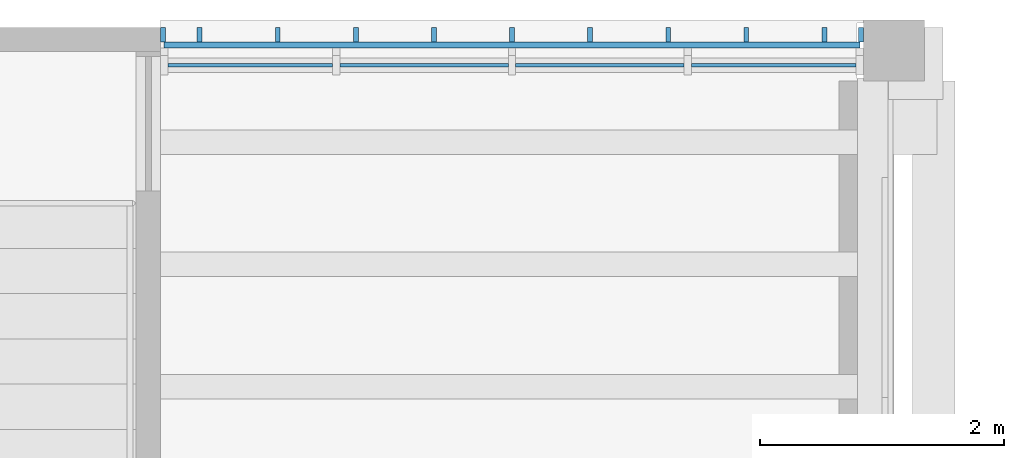
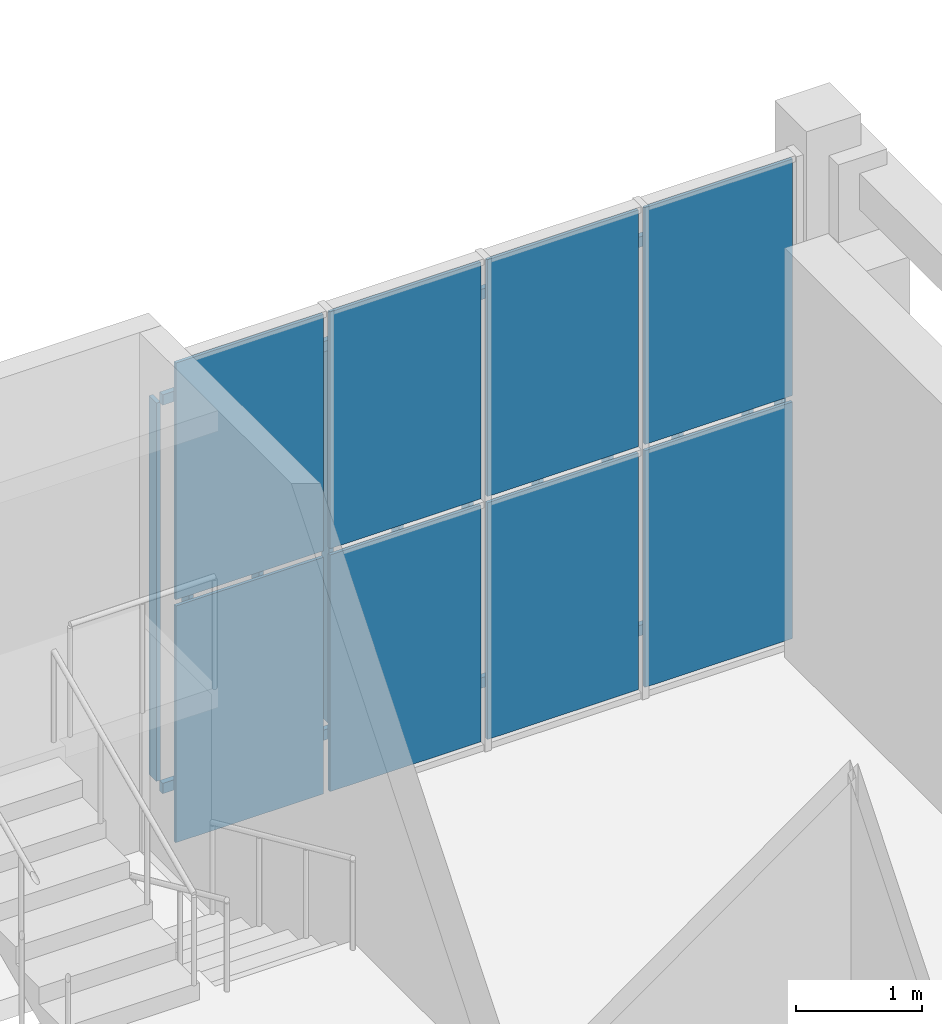
# One storey, part 34 of 80: 21 plates, 1 element without a shape of its own.
"""IFC4 building model written with IfcOpenShell, lengths in metres."""

from ifc_helpers import new_model, si_unit, direction, frame, origin, origin_2d, place, context, subcontext, project, spatial, rectangle, extrude, material, layer, layer_set, type_object, element, aggregate, save


model = new_model("IFC4")

# Units and contexts
model_context = context("Model", 3, precision=1e-05, world=origin(), true_north=direction((0.0, 1.0)))
body_context = subcontext(model_context, "Body", "Model", "MODEL_VIEW")
ifc_project = project(units=[si_unit("LENGTHUNIT", "METRE"), si_unit("AREAUNIT", "SQUARE_METRE"), si_unit("VOLUMEUNIT", "CUBIC_METRE"), si_unit("PLANEANGLEUNIT", "RADIAN"), si_unit("MASSUNIT", "GRAM", prefix="KILO")], contexts=[model_context])

# Site, building, storey
site_placement = place(None, origin())
site = spatial("IfcSite", under=ifc_project, at=site_placement, CompositionType="ELEMENT")
building_placement = place(site_placement, origin())
building = spatial("IfcBuilding", under=site, at=building_placement, Name="Saffron Lane Theatres", CompositionType="ELEMENT")
storey_placement = place(building_placement, frame((0.0, 0.0, 7.0)))
storey = spatial("IfcBuildingStorey", under=building, at=storey_placement, Name="L01", CompositionType="ELEMENT", Elevation=7.0)

# Curtain wall, plates
ifc_material_1 = material(Name="Aluminium", Category="aluminium")
curtain_wall_type = type_object("IfcCurtainWallType", Name="EX-CURTAIN WALL 5750x4750x160", PredefinedType="NOTDEFINED", material=ifc_material_1)
curtain_wall_placement = place(storey_placement, origin())
curtain_wall = element("IfcCurtainWall", 1, at=curtain_wall_placement, inside=storey, type_object=curtain_wall_type, Name="Curtain wall L01 08", PredefinedType="NOTDEFINED")
ifc_material_2 = material(Name="Glass", Category="glass")
ifc_layer_1 = layer(ifc_material_2, 0.028076171875)
ifc_layer_set_1 = layer_set([ifc_layer_1], Name="Glass")
plate_type_1 = type_object("IfcPlateType", Name="EX-CW PANEL GLAZING 28", PredefinedType="CURTAIN_PANEL", material=ifc_layer_set_1)
plate_1_placement = place(storey_placement, frame((6.733642578125, 125.6298828125, 0.06005859375), z_axis=(0.0, 0.0, 1.0), x_axis=(1.0, 0.0, 0.0)))
plate_1 = element("IfcPlate", 2, at=plate_1_placement, type_object=plate_type_1, Name="CW-01-08 panel 1.1", PredefinedType="CURTAIN_PANEL", context=body_context, shape_type="SweptSolid", body=[
    extrude(rectangle(XDim=1.347412109375, YDim=0.028076171875, at=origin_2d()), origin(), (0.0, 0.0, 1.0), 2.284912109375),
])
plate_2_placement = place(storey_placement, frame((6.733642578125, 125.6298828125, 2.4052734375), z_axis=(0.0, 0.0, 1.0), x_axis=(1.0, 0.0, 0.0)))
plate_2 = element("IfcPlate", 3, at=plate_2_placement, type_object=plate_type_1, Name="CW-01-08 panel 1.2", PredefinedType="CURTAIN_PANEL", context=body_context, shape_type="SweptSolid", body=[
    extrude(rectangle(XDim=1.347412109375, YDim=0.028076171875, at=origin_2d()), origin(), (0.0, 0.0, 1.0), 2.284912109375),
])
plate_3_placement = place(storey_placement, frame((8.15625, 125.6298828125, 0.06005859375), z_axis=(0.0, 0.0, 1.0), x_axis=(1.0, 0.0, 0.0)))
plate_3 = element("IfcPlate", 4, at=plate_3_placement, type_object=plate_type_1, Name="CW-01-08 panel 2.1", PredefinedType="CURTAIN_PANEL", context=body_context, shape_type="SweptSolid", body=[
    extrude(rectangle(XDim=1.37744140625, YDim=0.028076171875, at=origin_2d()), origin(), (0.0, 0.0, 1.0), 2.284912109375),
])
plate_4_placement = place(storey_placement, frame((8.15625, 125.6298828125, 2.4052734375), z_axis=(0.0, 0.0, 1.0), x_axis=(1.0, 0.0, 0.0)))
plate_4 = element("IfcPlate", 5, at=plate_4_placement, type_object=plate_type_1, Name="CW-01-08 panel 2.2", PredefinedType="CURTAIN_PANEL", context=body_context, shape_type="SweptSolid", body=[
    extrude(rectangle(XDim=1.37744140625, YDim=0.028076171875, at=origin_2d()), origin(), (0.0, 0.0, 1.0), 2.284912109375),
])
plate_5_placement = place(storey_placement, frame((9.59375, 125.6298828125, 0.06005859375), z_axis=(0.0, 0.0, 1.0), x_axis=(1.0, 0.0, 0.0)))
plate_5 = element("IfcPlate", 6, at=plate_5_placement, type_object=plate_type_1, Name="CW-01-08 panel 3.1", PredefinedType="CURTAIN_PANEL", context=body_context, shape_type="SweptSolid", body=[
    extrude(rectangle(XDim=1.37744140625, YDim=0.028076171875, at=origin_2d()), origin(), (0.0, 0.0, 1.0), 2.284912109375),
])
plate_6_placement = place(storey_placement, frame((9.59375, 125.6298828125, 2.4052734375), z_axis=(0.0, 0.0, 1.0), x_axis=(1.0, 0.0, 0.0)))
plate_6 = element("IfcPlate", 7, at=plate_6_placement, type_object=plate_type_1, Name="CW-01-08 panel 3.2", PredefinedType="CURTAIN_PANEL", context=body_context, shape_type="SweptSolid", body=[
    extrude(rectangle(XDim=1.37744140625, YDim=0.028076171875, at=origin_2d()), origin(), (0.0, 0.0, 1.0), 2.284912109375),
])
plate_7_placement = place(storey_placement, frame((11.016357421875, 125.6298828125, 0.06005859375), z_axis=(0.0, 0.0, 1.0), x_axis=(1.0, 0.0, 0.0)))
plate_7 = element("IfcPlate", 8, at=plate_7_placement, type_object=plate_type_1, Name="CW-01-08 panel 4.1", PredefinedType="CURTAIN_PANEL", context=body_context, shape_type="SweptSolid", body=[
    extrude(rectangle(XDim=1.347412109375, YDim=0.028076171875, at=origin_2d()), origin(), (0.0, 0.0, 1.0), 2.284912109375),
])
plate_8_placement = place(storey_placement, frame((11.016357421875, 125.6298828125, 2.4052734375), z_axis=(0.0, 0.0, 1.0), x_axis=(1.0, 0.0, 0.0)))
plate_8 = element("IfcPlate", 9, at=plate_8_placement, type_object=plate_type_1, Name="CW-01-08 panel 4.2", PredefinedType="CURTAIN_PANEL", context=body_context, shape_type="SweptSolid", body=[
    extrude(rectangle(XDim=1.347412109375, YDim=0.028076171875, at=origin_2d()), origin(), (0.0, 0.0, 1.0), 2.284912109375),
])
aggregate(curtain_wall, [plate_1, plate_2, plate_3, plate_4, plate_5, plate_6, plate_7, plate_8])

# Plates
ifc_material_3 = material(Name="Aluminium", Category="aluminium")
ifc_layer_2 = layer(ifc_material_3, 0.050048828125)
ifc_layer_set_2 = layer_set([ifc_layer_2], Name="Aluminium")
plate_type_2 = type_object("IfcPlateType", Name="EX-LATTICE RAIL 50x100", PredefinedType="SHEET", material=ifc_layer_set_2)
for number, where, z_axis, x_axis, name in (
    (10, (8.875, 125.794921875, 0.449951171875), (0.0, 0.0, 1.0), (1.0, 0.0, 0.0), "Lattice rail L01-01B"),
    (11, (8.875, 125.794921875, 4.199951171875), (0.0, 0.0, 1.0), (1.0, 0.0, 0.0), "Lattice rail L01-01T"),
):
    element("IfcPlate", number, at=place(storey_placement, frame(where, z_axis=z_axis, x_axis=x_axis)), inside=storey, type_object=plate_type_2, Name=name, PredefinedType="SHEET", context=body_context, shape_type="SweptSolid", body=[
        extrude(rectangle(XDim=5.68994140625, YDim=0.050048828125, at=origin_2d()), origin(), (0.0, 0.0, 1.0), 0.10009765625),
    ])
ifc_material_4 = material(Name="Aluminium", Category="aluminium")
ifc_layer_3 = layer(ifc_material_4, 0.0400390625)
ifc_layer_set_3 = layer_set([ifc_layer_3], Name="Aluminium")
plate_type_3 = type_object("IfcPlateType", Name="EX-LATTICE SLAT 40x120", PredefinedType="SHEET", material=ifc_layer_set_3)
for number, where, z_axis, x_axis, name in (
    (12, (6.3193359375, 125.8798828125, 0.550048828125), (0.0, 0.0, 1.0), (1.0, 0.0, 0.0), "Lattice slat L01-01.1"),
    (13, (6.958251953125, 125.8798828125, 0.550048828125), (0.0, 0.0, 1.0), (1.0, 0.0, 0.0), "Lattice slat L01-01.2"),
    (14, (7.59716796875, 125.8798828125, 0.550048828125), (0.0, 0.0, 1.0), (1.0, 0.0, 0.0), "Lattice slat L01-01.3"),
    (15, (8.236083984375, 125.8798828125, 0.550048828125), (0.0, 0.0, 1.0), (1.0, 0.0, 0.0), "Lattice slat L01-01.4"),
    (16, (8.875, 125.8798828125, 0.550048828125), (0.0, 0.0, 1.0), (1.0, 0.0, 0.0), "Lattice slat L01-01.5"),
    (17, (9.513916015625, 125.8798828125, 0.550048828125), (0.0, 0.0, 1.0), (1.0, 0.0, 0.0), "Lattice slat L01-01.6"),
    (18, (10.15283203125, 125.8798828125, 0.550048828125), (0.0, 0.0, 1.0), (1.0, 0.0, 0.0), "Lattice slat L01-01.7"),
    (19, (10.791748046875, 125.8798828125, 0.550048828125), (0.0, 0.0, 1.0), (1.0, 0.0, 0.0), "Lattice slat L01-01.8"),
    (20, (11.4306640625, 125.8798828125, 0.550048828125), (0.0, 0.0, 1.0), (1.0, 0.0, 0.0), "Lattice slat L01-01.9"),
    (21, (6.02001953125, 125.8798828125, 0.550048828125), (0.0, 0.0, 1.0), (1.0, 0.0, 0.0), "Lattice end stile L01-01.E0"),
    (22, (11.72998046875, 125.8798828125, 0.550048828125), (0.0, 0.0, 1.0), (1.0, 0.0, 0.0), "Lattice end stile L01-01.E1"),
):
    element("IfcPlate", number, at=place(storey_placement, frame(where, z_axis=z_axis, x_axis=x_axis)), inside=storey, type_object=plate_type_3, Name=name, PredefinedType="SHEET", context=body_context, shape_type="SweptSolid", body=[
        extrude(rectangle(XDim=0.0400390625, YDim=0.1201171875, at=origin_2d()), origin(), (0.0, 0.0, 1.0), 3.64990234375),
    ])

save(model, "model.ifc")
